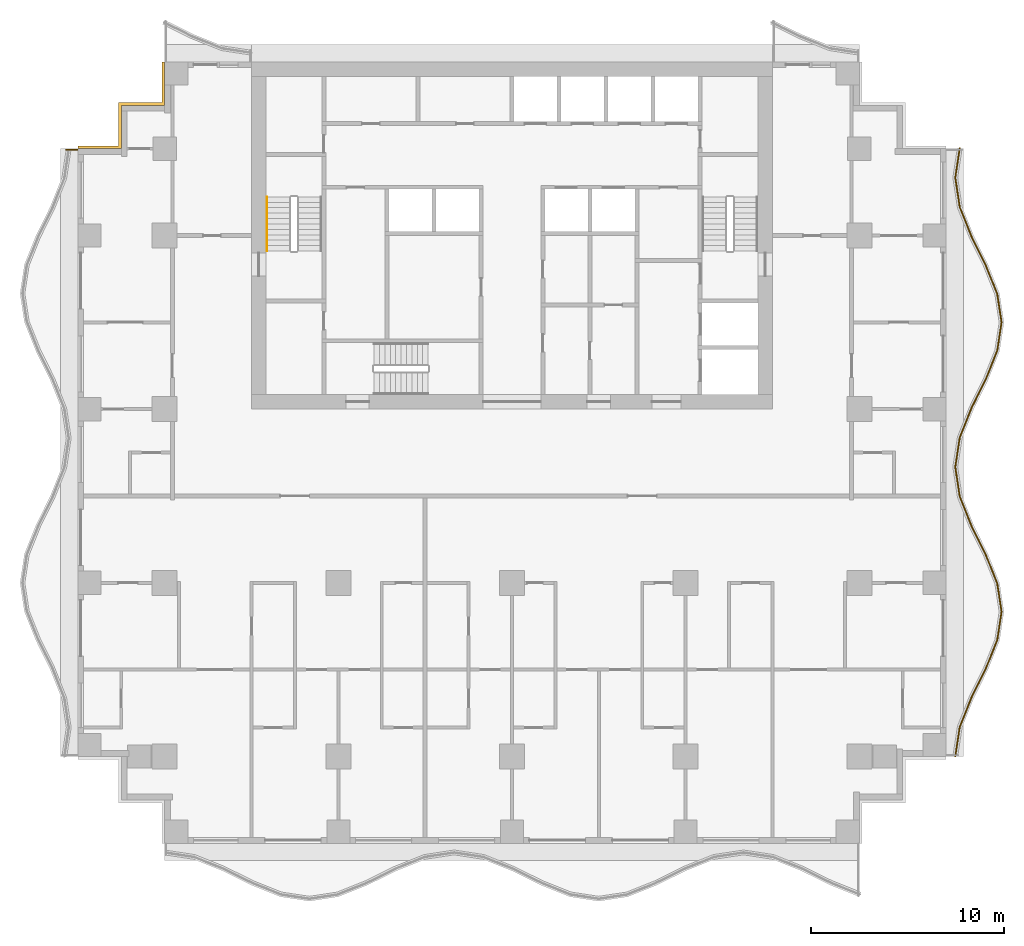
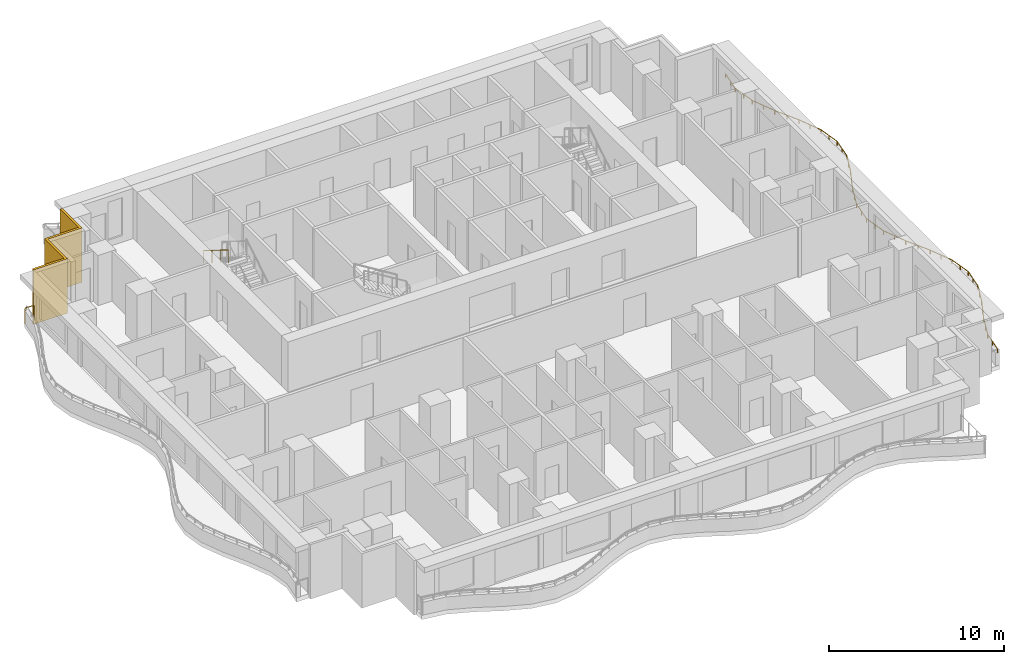
# One storey, part 9 of 10: 3 railings, 1 shading device.
"""IFC4 building model written with IfcOpenShell, lengths in metres."""

from ifc_helpers import new_model, si_unit, direction, frame, origin, origin_2d, place, context, subcontext, project, spatial, polyline, rectangle, circle, outline, extrude, material, layer, layer_set, type_object, element, save


model = new_model("IFC4")

# Units and contexts
model_context = context("Model", 3, precision=1e-05, world=origin(), true_north=direction((0.0, 1.0)))
body_context = subcontext(model_context, "Body", "Model", "MODEL_VIEW")
ifc_project = project(units=[si_unit("LENGTHUNIT", "METRE"), si_unit("AREAUNIT", "SQUARE_METRE"), si_unit("VOLUMEUNIT", "CUBIC_METRE"), si_unit("PLANEANGLEUNIT", "RADIAN"), si_unit("MASSUNIT", "GRAM", prefix="KILO")], contexts=[model_context])

# Site, building, storey
site_placement = place(None, origin())
site = spatial("IfcSite", under=ifc_project, at=site_placement, CompositionType="ELEMENT")
building_placement = place(site_placement, origin())
building = spatial("IfcBuilding", under=site, at=building_placement, Name="Orbiselva Terraces", CompositionType="ELEMENT")
storey_placement = place(building_placement, frame((0.0, 0.0, 136.4)))
storey = spatial("IfcBuildingStorey", under=building, at=storey_placement, Name="L34", CompositionType="ELEMENT", Elevation=136.4)

# Railings
ifc_material_1 = material(Name="Stainless steel", Category="steel")
railing_type_1 = type_object("IfcRailingType", Name="CORE-HANDRAIL-900", PredefinedType="HANDRAIL", material=ifc_material_1)
railing_1_placement = place(storey_placement, frame((-12.7, 15.5, 2.072727)))
element("IfcRailing", 1, at=railing_1_placement, inside=storey, type_object=railing_type_1, Name="L34 S1 stair handrail 2", PredefinedType="HANDRAIL", context=body_context, shape_type="SweptSolid", body=[
    extrude(circle(Radius=0.024, at=origin_2d()), frame((0.0, 0.0, 0.876), z_axis=(0.0, -0.851088519012, 0.52502222125), x_axis=(1.0, 0.0, 0.0)), (0.0, 0.0, 1.0), 3.289905),
    extrude(circle(Radius=0.021, at=origin_2d()), origin(), (0.0, 0.0, 1.0), 0.852),
    extrude(circle(Radius=0.021, at=origin_2d()), frame((0.0, -0.933333, 0.575758)), (0.0, 0.0, 1.0), 0.852),
    extrude(circle(Radius=0.021, at=origin_2d()), frame((0.0, -1.866667, 1.151515)), (0.0, 0.0, 1.0), 0.852),
    extrude(circle(Radius=0.021, at=origin_2d()), frame((0.0, -2.8, 1.727273)), (0.0, 0.0, 1.0), 0.852),
])
ifc_material_2 = material(Name="Bonded two-ply safety glass balustrade, stainless steel posts", Category="steel")
railing_type_2 = type_object("IfcRailingType", Name="ENV-BALUSTRADE-1200", PredefinedType="BALUSTRADE", material=ifc_material_2)
railing_2_placement = place(storey_placement, frame((22.976434, -13.481121, 0.9)))
element("IfcRailing", 2, at=railing_2_placement, inside=storey, type_object=railing_type_2, Name="Balcony balustrade L34 E", PredefinedType="BALUSTRADE", context=body_context, shape_type="SweptSolid", body=[
    extrude(outline(polyline([(0.028868, 0.0), (0.014434, 0.025), (-0.014434, 0.025), (-0.028868, 0.0), (-0.014434, -0.025), (0.014434, -0.025), (0.028868, 0.0)])), frame((0.0, 0.0, 0.275), z_axis=(0.151033869252, 0.988528588529, 0.0), x_axis=(-0.988528588529, 0.151033869252, 0.0)), (0.0, 0.0, 1.0), 1.531776),
    extrude(outline(polyline([(0.028868, 0.0), (0.014434, 0.025), (-0.014434, 0.025), (-0.028868, 0.0), (-0.014434, -0.025), (0.014434, -0.025), (0.028868, 0.0)])), frame((0.23135, 1.514204, 0.275), z_axis=(0.371390359967, 0.92847681744, 0.0), x_axis=(-0.92847681744, 0.371390359967, 0.0)), (0.0, 0.0, 1.0), 1.634838),
    extrude(outline(polyline([(0.028868, 0.0), (0.014434, 0.025), (-0.014434, 0.025), (-0.028868, 0.0), (-0.014434, -0.025), (0.014434, -0.025), (0.028868, 0.0)])), frame((0.838513, 3.032113, 0.275), z_axis=(0.443212307306, 0.896416672454, 0.0), x_axis=(-0.896416672454, 0.443212307306, 0.0)), (0.0, 0.0, 1.0), 1.673329),
    extrude(outline(polyline([(0.028868, 0.0), (0.014434, 0.025), (-0.014434, 0.025), (-0.028868, 0.0), (-0.014434, -0.025), (0.014434, -0.025), (0.028868, 0.0)])), frame((1.580153, 4.532113, 0.275), z_axis=(0.371391000387, 0.928476561272, 0.0), x_axis=(-0.928476561272, 0.371391000387, 0.0)), (0.0, 0.0, 1.0), 1.596261),
    extrude(outline(polyline([(0.028868, 0.0), (0.014434, 0.025), (-0.014434, 0.025), (-0.028868, 0.0), (-0.014434, -0.025), (0.014434, -0.025), (0.028868, 0.0)])), frame((2.17299, 6.014204, 0.275), z_axis=(0.151033749027, 0.988528606898, 0.0), x_axis=(-0.988528606898, 0.151033749027, 0.0)), (0.0, 0.0, 1.0), 1.48394),
    extrude(outline(polyline([(0.028868, 0.0), (0.014434, 0.025), (-0.014434, 0.025), (-0.028868, 0.0), (-0.014434, -0.025), (0.014434, -0.025), (0.028868, 0.0)])), frame((2.397115, 7.481121, 0.275), z_axis=(-0.151033749027, 0.988528606898, 0.0), x_axis=(-0.988528606898, -0.151033749027, 0.0)), (0.0, 0.0, 1.0), 1.48394),
    extrude(outline(polyline([(0.028868, 0.0), (0.014434, 0.025), (-0.014434, 0.025), (-0.028868, 0.0), (-0.014434, -0.025), (0.014434, -0.025), (0.028868, 0.0)])), frame((2.17299, 8.948038, 0.275), z_axis=(-0.371391000387, 0.928476561272, 0.0), x_axis=(-0.928476561272, -0.371391000387, 0.0)), (0.0, 0.0, 1.0), 1.596261),
    extrude(outline(polyline([(0.028868, 0.0), (0.014434, 0.025), (-0.014434, 0.025), (-0.028868, 0.0), (-0.014434, -0.025), (0.014434, -0.025), (0.028868, 0.0)])), frame((1.580153, 10.430129, 0.275), z_axis=(-0.443212307306, 0.896416672454, 0.0), x_axis=(-0.896416672454, -0.443212307306, 0.0)), (0.0, 0.0, 1.0), 1.673329),
    extrude(outline(polyline([(0.028868, 0.0), (0.014434, 0.025), (-0.014434, 0.025), (-0.028868, 0.0), (-0.014434, -0.025), (0.014434, -0.025), (0.028868, 0.0)])), frame((0.838513, 11.930129, 0.275), z_axis=(-0.371390359967, 0.92847681744, 0.0), x_axis=(-0.92847681744, -0.371390359967, 0.0)), (0.0, 0.0, 1.0), 1.634838),
    extrude(outline(polyline([(0.028868, 0.0), (0.014434, 0.025), (-0.014434, 0.025), (-0.028868, 0.0), (-0.014434, -0.025), (0.014434, -0.025), (0.028868, 0.0)])), frame((0.23135, 13.448038, 0.275), z_axis=(-0.151034211256, 0.988528536275, 0.0), x_axis=(-0.988528536275, -0.151034211256, 0.0)), (0.0, 0.0, 1.0), 1.550874),
    extrude(outline(polyline([(0.028868, 0.0), (0.014434, 0.025), (-0.014434, 0.025), (-0.028868, 0.0), (-0.014434, -0.025), (0.014434, -0.025), (0.028868, 0.0)])), frame((-0.002885, 14.981121, 0.275), z_axis=(0.151034211256, 0.988528536275, 0.0), x_axis=(-0.988528536275, 0.151034211256, 0.0)), (0.0, 0.0, 1.0), 1.550874),
    extrude(outline(polyline([(0.028868, 0.0), (0.014434, 0.025), (-0.014434, 0.025), (-0.028868, 0.0), (-0.014434, -0.025), (0.014434, -0.025), (0.028868, 0.0)])), frame((0.23135, 16.514204, 0.275), z_axis=(0.371390359967, 0.92847681744, 0.0), x_axis=(-0.92847681744, 0.371390359967, 0.0)), (0.0, 0.0, 1.0), 1.634838),
    extrude(outline(polyline([(0.028868, 0.0), (0.014434, 0.025), (-0.014434, 0.025), (-0.028868, 0.0), (-0.014434, -0.025), (0.014434, -0.025), (0.028868, 0.0)])), frame((0.838513, 18.032113, 0.275), z_axis=(0.443212307306, 0.896416672454, 0.0), x_axis=(-0.896416672454, 0.443212307306, 0.0)), (0.0, 0.0, 1.0), 1.673329),
    extrude(outline(polyline([(0.028868, 0.0), (0.014434, 0.025), (-0.014434, 0.025), (-0.028868, 0.0), (-0.014434, -0.025), (0.014434, -0.025), (0.028868, 0.0)])), frame((1.580153, 19.532113, 0.275), z_axis=(0.371391000387, 0.928476561272, 0.0), x_axis=(-0.928476561272, 0.371391000387, 0.0)), (0.0, 0.0, 1.0), 1.596261),
    extrude(outline(polyline([(0.028868, 0.0), (0.014434, 0.025), (-0.014434, 0.025), (-0.028868, 0.0), (-0.014434, -0.025), (0.014434, -0.025), (0.028868, 0.0)])), frame((2.17299, 21.014204, 0.275), z_axis=(0.151033749027, 0.988528606898, 0.0), x_axis=(-0.988528606898, 0.151033749027, 0.0)), (0.0, 0.0, 1.0), 1.48394),
    extrude(outline(polyline([(0.028868, 0.0), (0.014434, 0.025), (-0.014434, 0.025), (-0.028868, 0.0), (-0.014434, -0.025), (0.014434, -0.025), (0.028868, 0.0)])), frame((2.397115, 22.481121, 0.275), z_axis=(-0.151033749027, 0.988528606898, 0.0), x_axis=(-0.988528606898, -0.151033749027, 0.0)), (0.0, 0.0, 1.0), 1.48394),
    extrude(outline(polyline([(0.028868, 0.0), (0.014434, 0.025), (-0.014434, 0.025), (-0.028868, 0.0), (-0.014434, -0.025), (0.014434, -0.025), (0.028868, 0.0)])), frame((2.17299, 23.948038, 0.275), z_axis=(-0.371391000387, 0.928476561272, 0.0), x_axis=(-0.928476561272, -0.371391000387, 0.0)), (0.0, 0.0, 1.0), 1.596261),
    extrude(outline(polyline([(0.028868, 0.0), (0.014434, 0.025), (-0.014434, 0.025), (-0.028868, 0.0), (-0.014434, -0.025), (0.014434, -0.025), (0.028868, 0.0)])), frame((1.580153, 25.430129, 0.275), z_axis=(-0.443212307306, 0.896416672454, 0.0), x_axis=(-0.896416672454, -0.443212307306, 0.0)), (0.0, 0.0, 1.0), 1.673329),
    extrude(outline(polyline([(0.028868, 0.0), (0.014434, 0.025), (-0.014434, 0.025), (-0.028868, 0.0), (-0.014434, -0.025), (0.014434, -0.025), (0.028868, 0.0)])), frame((0.838513, 26.930129, 0.275), z_axis=(-0.371390359967, 0.92847681744, 0.0), x_axis=(-0.92847681744, -0.371390359967, 0.0)), (0.0, 0.0, 1.0), 1.634838),
    extrude(outline(polyline([(0.028868, 0.0), (0.014434, 0.025), (-0.014434, 0.025), (-0.028868, 0.0), (-0.014434, -0.025), (0.014434, -0.025), (0.028868, 0.0)])), frame((0.23135, 28.448038, 0.275), z_axis=(-0.151034211256, 0.988528536275, 0.0), x_axis=(-0.988528536275, -0.151034211256, 0.0)), (0.0, 0.0, 1.0), 1.550874),
    extrude(outline(polyline([(0.028868, 0.0), (0.014434, 0.025), (-0.014434, 0.025), (-0.028868, 0.0), (-0.014434, -0.025), (0.014434, -0.025), (0.028868, 0.0)])), frame((-0.002885, 29.981121, 0.275), z_axis=(0.151034328999, 0.988528518286, 0.0), x_axis=(-0.988528518286, 0.151034328999, 0.0)), (0.0, 0.0, 1.0), 1.536505),
    extrude(rectangle(XDim=0.05, YDim=0.05, at=origin_2d()), origin(), (0.0, 0.0, 1.0), 0.25),
    extrude(rectangle(XDim=0.05, YDim=0.05, at=origin_2d()), frame((0.115675, 0.757102, 0.0)), (0.0, 0.0, 1.0), 0.25),
    extrude(rectangle(XDim=0.05, YDim=0.05, at=origin_2d()), frame((0.23135, 1.514204, 0.0)), (0.0, 0.0, 1.0), 0.25),
    extrude(rectangle(XDim=0.05, YDim=0.05, at=origin_2d()), frame((0.534931, 2.273158, 0.0)), (0.0, 0.0, 1.0), 0.25),
    extrude(rectangle(XDim=0.05, YDim=0.05, at=origin_2d()), frame((0.838513, 3.032113, 0.0)), (0.0, 0.0, 1.0), 0.25),
    extrude(rectangle(XDim=0.05, YDim=0.05, at=origin_2d()), frame((1.209333, 3.782113, 0.0)), (0.0, 0.0, 1.0), 0.25),
    extrude(rectangle(XDim=0.05, YDim=0.05, at=origin_2d()), frame((1.580153, 4.532113, 0.0)), (0.0, 0.0, 1.0), 0.25),
    extrude(rectangle(XDim=0.05, YDim=0.05, at=origin_2d()), frame((1.876571, 5.273159, 0.0)), (0.0, 0.0, 1.0), 0.25),
    extrude(rectangle(XDim=0.05, YDim=0.05, at=origin_2d()), frame((2.17299, 6.014204, 0.0)), (0.0, 0.0, 1.0), 0.25),
    extrude(rectangle(XDim=0.05, YDim=0.05, at=origin_2d()), frame((2.285052, 6.747663, 0.0)), (0.0, 0.0, 1.0), 0.25),
    extrude(rectangle(XDim=0.05, YDim=0.05, at=origin_2d()), frame((2.397115, 7.481121, 0.0)), (0.0, 0.0, 1.0), 0.25),
    extrude(rectangle(XDim=0.05, YDim=0.05, at=origin_2d()), frame((2.285052, 8.214579, 0.0)), (0.0, 0.0, 1.0), 0.25),
    extrude(rectangle(XDim=0.05, YDim=0.05, at=origin_2d()), frame((2.17299, 8.948038, 0.0)), (0.0, 0.0, 1.0), 0.25),
    extrude(rectangle(XDim=0.05, YDim=0.05, at=origin_2d()), frame((1.876571, 9.689084, 0.0)), (0.0, 0.0, 1.0), 0.25),
    extrude(rectangle(XDim=0.05, YDim=0.05, at=origin_2d()), frame((1.580153, 10.430129, 0.0)), (0.0, 0.0, 1.0), 0.25),
    extrude(rectangle(XDim=0.05, YDim=0.05, at=origin_2d()), frame((1.209333, 11.180129, 0.0)), (0.0, 0.0, 1.0), 0.25),
    extrude(rectangle(XDim=0.05, YDim=0.05, at=origin_2d()), frame((0.838513, 11.930129, 0.0)), (0.0, 0.0, 1.0), 0.25),
    extrude(rectangle(XDim=0.05, YDim=0.05, at=origin_2d()), frame((0.534931, 12.689084, 0.0)), (0.0, 0.0, 1.0), 0.25),
    extrude(rectangle(XDim=0.05, YDim=0.05, at=origin_2d()), frame((0.23135, 13.448038, 0.0)), (0.0, 0.0, 1.0), 0.25),
    extrude(rectangle(XDim=0.05, YDim=0.05, at=origin_2d()), frame((0.114232, 14.21458, 0.0)), (0.0, 0.0, 1.0), 0.25),
    extrude(rectangle(XDim=0.05, YDim=0.05, at=origin_2d()), frame((-0.002885, 14.981121, 0.0)), (0.0, 0.0, 1.0), 0.25),
    extrude(rectangle(XDim=0.05, YDim=0.05, at=origin_2d()), frame((0.114232, 15.747662, 0.0)), (0.0, 0.0, 1.0), 0.25),
    extrude(rectangle(XDim=0.05, YDim=0.05, at=origin_2d()), frame((0.23135, 16.514204, 0.0)), (0.0, 0.0, 1.0), 0.25),
    extrude(rectangle(XDim=0.05, YDim=0.05, at=origin_2d()), frame((0.534931, 17.273158, 0.0)), (0.0, 0.0, 1.0), 0.25),
    extrude(rectangle(XDim=0.05, YDim=0.05, at=origin_2d()), frame((0.838513, 18.032113, 0.0)), (0.0, 0.0, 1.0), 0.25),
    extrude(rectangle(XDim=0.05, YDim=0.05, at=origin_2d()), frame((1.209333, 18.782113, 0.0)), (0.0, 0.0, 1.0), 0.25),
    extrude(rectangle(XDim=0.05, YDim=0.05, at=origin_2d()), frame((1.580153, 19.532113, 0.0)), (0.0, 0.0, 1.0), 0.25),
    extrude(rectangle(XDim=0.05, YDim=0.05, at=origin_2d()), frame((1.876571, 20.273158, 0.0)), (0.0, 0.0, 1.0), 0.25),
    extrude(rectangle(XDim=0.05, YDim=0.05, at=origin_2d()), frame((2.17299, 21.014204, 0.0)), (0.0, 0.0, 1.0), 0.25),
    extrude(rectangle(XDim=0.05, YDim=0.05, at=origin_2d()), frame((2.285052, 21.747662, 0.0)), (0.0, 0.0, 1.0), 0.25),
    extrude(rectangle(XDim=0.05, YDim=0.05, at=origin_2d()), frame((2.397115, 22.481121, 0.0)), (0.0, 0.0, 1.0), 0.25),
    extrude(rectangle(XDim=0.05, YDim=0.05, at=origin_2d()), frame((2.285052, 23.21458, 0.0)), (0.0, 0.0, 1.0), 0.25),
    extrude(rectangle(XDim=0.05, YDim=0.05, at=origin_2d()), frame((2.17299, 23.948038, 0.0)), (0.0, 0.0, 1.0), 0.25),
    extrude(rectangle(XDim=0.05, YDim=0.05, at=origin_2d()), frame((1.876571, 24.689084, 0.0)), (0.0, 0.0, 1.0), 0.25),
    extrude(rectangle(XDim=0.05, YDim=0.05, at=origin_2d()), frame((1.580153, 25.430129, 0.0)), (0.0, 0.0, 1.0), 0.25),
    extrude(rectangle(XDim=0.05, YDim=0.05, at=origin_2d()), frame((1.209333, 26.180129, 0.0)), (0.0, 0.0, 1.0), 0.25),
    extrude(rectangle(XDim=0.05, YDim=0.05, at=origin_2d()), frame((0.838513, 26.930129, 0.0)), (0.0, 0.0, 1.0), 0.25),
    extrude(rectangle(XDim=0.05, YDim=0.05, at=origin_2d()), frame((0.534931, 27.689084, 0.0)), (0.0, 0.0, 1.0), 0.25),
    extrude(rectangle(XDim=0.05, YDim=0.05, at=origin_2d()), frame((0.23135, 28.448038, 0.0)), (0.0, 0.0, 1.0), 0.25),
    extrude(rectangle(XDim=0.05, YDim=0.05, at=origin_2d()), frame((0.114232, 29.21458, 0.0)), (0.0, 0.0, 1.0), 0.25),
    extrude(rectangle(XDim=0.05, YDim=0.05, at=origin_2d()), frame((-0.002885, 29.981121, 0.0)), (0.0, 0.0, 1.0), 0.25),
    extrude(rectangle(XDim=0.05, YDim=0.05, at=origin_2d()), frame((0.113147, 30.74056, 0.0)), (0.0, 0.0, 1.0), 0.25),
    extrude(rectangle(XDim=0.05, YDim=0.05, at=origin_2d()), frame((0.22918, 31.5, 0.0)), (0.0, 0.0, 1.0), 0.25),
])
ifc_material_3 = material(Name="Stainless steel rail and posts", Category="steel")
railing_type_3 = type_object("IfcRailingType", Name="ENV-GUARD-1105", PredefinedType="BALUSTRADE", material=ifc_material_3)
railing_3_placement = place(storey_placement, frame((-23.100379, 17.94, 0.0)))
element("IfcRailing", 3, at=railing_3_placement, inside=storey, type_object=railing_type_3, Name="Balcony end guard L34 W", PredefinedType="BALUSTRADE", context=body_context, shape_type="SweptSolid", body=[
    extrude(outline(polyline([(0.028868, 0.0), (0.014434, 0.025), (-0.014434, 0.025), (-0.028868, 0.0), (-0.014434, -0.025), (0.014434, -0.025), (0.028868, 0.0)])), frame((0.0, 0.0, 1.08), z_axis=(1.0, 0.0, 0.0), x_axis=(0.0, 1.0, 0.0)), (0.0, 0.0, 1.0), 0.575379),
    extrude(rectangle(XDim=0.05, YDim=0.05, at=origin_2d()), origin(), (0.0, 0.0, 1.0), 1.055),
    extrude(rectangle(XDim=0.05, YDim=0.05, at=origin_2d()), frame((0.575379, 0.0, 0.0)), (0.0, 0.0, 1.0), 1.055),
])

# Shading device
ifc_material_4 = material(Name="Terracotta louvre screen", Category="masonry")
ifc_layer = layer(ifc_material_4, 0.15)
ifc_layer_set = layer_set([ifc_layer], Name="Terracotta louvre screen")
shading_device_type = type_object("IfcShadingDeviceType", Name="ENV-SCREEN-150", PredefinedType="USERDEFINED", material=ifc_layer_set)
shading_device_placement = place(storey_placement, frame((0.0, 0.0, -0.3)))
element("IfcShadingDevice", 4, at=shading_device_placement, inside=storey, type_object=shading_device_type, Name="Louvre screen L34 NW", ObjectType="SCREEN", PredefinedType="USERDEFINED", context=body_context, shape_type="SweptSolid", body=[
    extrude(outline(polyline([(-18.15, 22.5), (-18.15, 20.4), (-20.4, 20.4), (-20.4, 18.15), (-22.5, 18.15), (-22.5, 18.0), (-20.25, 18.0), (-20.25, 20.25), (-18.0, 20.25), (-18.0, 22.5), (-18.15, 22.5)])), origin(), (0.0, 0.0, 1.0), 3.8),
])

save(model, "model.ifc")
